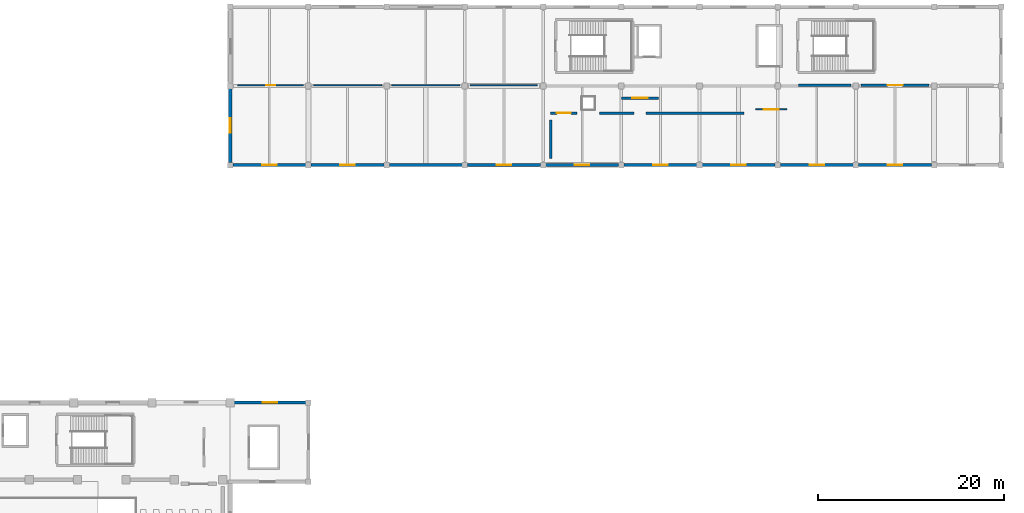
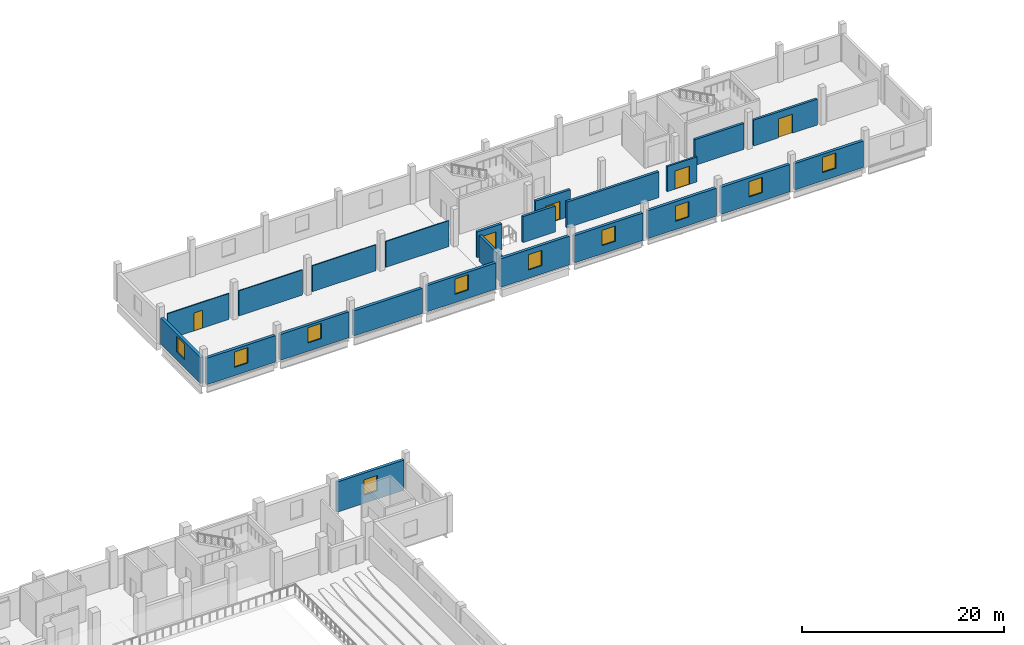
# One storey, part 40 of 50: 23 walls, 10 windows, 5 doors, 15 openings.
"""IFC4 building model written with IfcOpenShell, lengths in metres."""

from ifc_helpers import new_model, si_unit, direction, frame, frame_2d, origin, place, context, subcontext, project, spatial, rectangle, extrude, material, layer, layer_set, type_object, element, fill, save


model = new_model("IFC4")

# Units and contexts
model_context = context("Model", 3, precision=1e-05, world=origin(), true_north=direction((0.0, 1.0)))
body_context = subcontext(model_context, "Body", "Model", "MODEL_VIEW")
ifc_project = project(units=[si_unit("LENGTHUNIT", "METRE"), si_unit("AREAUNIT", "SQUARE_METRE"), si_unit("VOLUMEUNIT", "CUBIC_METRE"), si_unit("PLANEANGLEUNIT", "RADIAN"), si_unit("MASSUNIT", "GRAM", prefix="KILO")], contexts=[model_context])

# Site, building, storey
site_placement = place(None, origin())
site = spatial("IfcSite", under=ifc_project, at=site_placement, CompositionType="ELEMENT")
building_placement = place(site_placement, origin())
building = spatial("IfcBuilding", under=site, at=building_placement, Name="Solvento Point Concert Hall", CompositionType="ELEMENT")
storey_placement = place(building_placement, frame((0.0, 0.0, 15.0)))
storey = spatial("IfcBuildingStorey", under=building, at=storey_placement, Name="L03", CompositionType="ELEMENT", Elevation=15.0)

# Wall, opening, door
ifc_material_1 = material(Name="Acoustic Double-Stud Gypsum Partition")
ifc_layer_1 = layer(ifc_material_1, 0.1201171875)
ifc_layer_set_1 = layer_set([ifc_layer_1], Name="Acoustic Double-Stud Gypsum Partition")
wall_type_1 = type_object("IfcWallType", Name="AcousticPartition_120", PredefinedType="PARTITIONING", material=ifc_layer_set_1)
wall_1_placement = place(storey_placement, frame((134.02001953125, 127.580078125, 0.0), z_axis=(0.0, 0.0, 1.0), x_axis=(1.0, 0.0, 0.0)))
wall_1 = element("IfcWall", 1, at=wall_1_placement, inside=storey, type_object=wall_type_1, Name="Interior acoustic partition PW-52 L03", PredefinedType="PARTITIONING", context=body_context, shape_type="SweptSolid", body=[
    extrude(rectangle(XDim=7.030029296875, YDim=0.1201171875, at=frame_2d((3.51513671875, 0.0))), origin(), (0.0, 0.0, 1.0), 3.1298828125),
])
opening_1_placement = place(wall_1_placement, frame((3.02490234375, 0.0, 0.0)))
opening_1 = element("IfcOpeningElement", 2, at=opening_1_placement, cuts=wall_1, Name="Opening DR-89", PredefinedType="OPENING", context=body_context, shape_type="SweptSolid", body=[
    extrude(rectangle(XDim=0.97998046875, YDim=2.159912109375, at=frame_2d((0.489990234375, 1.080078125))), frame((0.0, 0.070068359375, 0.0), z_axis=(0.0, -1.0, 0.0), x_axis=(1.0, 0.0, 0.0)), (0.0, 0.0, 1.0), 0.14013671875),
])
ifc_material_2 = material(Name="Brazilian Hardwood Acoustic Door", Category="wood")
door_type_1 = type_object("IfcDoorType", Name="IntDoor_AdminOffice", OperationType="NOTDEFINED", PredefinedType="DOOR", material=ifc_material_2)
door_1_placement = place(opening_1_placement, origin())
door_1 = element("IfcDoor", 3, at=door_1_placement, inside=storey, type_object=door_type_1, Name="Interior door DR-89 L03", OperationType="SINGLE_SWING_LEFT", OverallHeight=2.159912109375, OverallWidth=0.97998046875, PredefinedType="DOOR", context=body_context, shape_type="SweptSolid", body=[
    extrude(rectangle(XDim=0.97998046875, YDim=2.159912109375, at=frame_2d((0.489990234375, 1.080078125))), frame((0.0, 0.02490234375, 0.0), z_axis=(0.0, -1.0, 0.0), x_axis=(1.0, 0.0, 0.0)), (0.0, 0.0, 1.0), 0.050048828125),
])
fill(opening_1, door_1)

# Walls
wall_2_placement = place(storey_placement, frame((142.14990234375, 127.580078125, 0.0), z_axis=(0.0, 0.0, 1.0), x_axis=(1.0, 0.0, 0.0)))
element("IfcWall", 4, at=wall_2_placement, inside=storey, type_object=wall_type_1, Name="Interior acoustic partition PW-52 L03", PredefinedType="PARTITIONING", context=body_context, shape_type="SweptSolid", body=[
    extrude(rectangle(XDim=7.300048828125, YDim=0.1201171875, at=frame_2d((3.64990234375, 0.0))), origin(), (0.0, 0.0, 1.0), 3.0380859375),
])
wall_3_placement = place(storey_placement, frame((150.550048828125, 127.580078125, 0.0), z_axis=(0.0, 0.0, 1.0), x_axis=(1.0, 0.0, 0.0)))
element("IfcWall", 5, at=wall_3_placement, inside=storey, type_object=wall_type_1, Name="Interior acoustic partition PW-52 L03", PredefinedType="PARTITIONING", context=body_context, shape_type="SweptSolid", body=[
    extrude(rectangle(XDim=7.300048828125, YDim=0.1201171875, at=frame_2d((3.64990234375, 0.0))), origin(), (0.0, 0.0, 1.0), 3.1298828125),
])
wall_4_placement = place(storey_placement, frame((158.949951171875, 127.580078125, 0.0), z_axis=(0.0, 0.0, 1.0), x_axis=(1.0, 0.0, 0.0)))
element("IfcWall", 6, at=wall_4_placement, inside=storey, type_object=wall_type_1, Name="Interior acoustic partition PW-52 L03", PredefinedType="PARTITIONING", context=body_context, shape_type="SweptSolid", body=[
    extrude(rectangle(XDim=7.22998046875, YDim=0.1201171875, at=frame_2d((3.614990234375, 0.0))), origin(), (0.0, 0.0, 1.0), 3.1298828125),
])

# Wall, opening, door
ifc_material_3 = material(Name="Acoustic Double-Stud Gypsum Partition")
ifc_layer_2 = layer(ifc_material_3, 0.2080078125)
ifc_layer_set_2 = layer_set([ifc_layer_2], Name="Acoustic Double-Stud Gypsum Partition")
wall_type_2 = type_object("IfcWallType", Name="AcousticPartition_208", PredefinedType="PARTITIONING", material=ifc_layer_set_2)
wall_5_placement = place(storey_placement, frame((189.60009765625, 125.0, 0.0), z_axis=(0.0, 0.0, 1.0), x_axis=(1.0, 0.0, 0.0)))
wall_5 = element("IfcWall", 7, at=wall_5_placement, inside=storey, type_object=wall_type_2, Name="Lift lobby partition LG-02 L03", PredefinedType="PARTITIONING", context=body_context, shape_type="SweptSolid", body=[
    extrude(rectangle(XDim=3.39990234375, YDim=0.2080078125, at=frame_2d((1.699951171875, 0.0))), origin(), (0.0, 0.0, 1.0), 3.0380859375),
])
opening_2_placement = place(wall_5_placement, frame((0.875, 0.0, 0.0)))
opening_2 = element("IfcOpeningElement", 8, at=opening_2_placement, cuts=wall_5, Name="Opening D-FL1", PredefinedType="OPENING", context=body_context, shape_type="SweptSolid", body=[
    extrude(rectangle(XDim=1.64990234375, YDim=2.199951171875, at=frame_2d((0.824951171875, 1.10009765625))), frame((0.0, 0.114013671875, 0.0), z_axis=(0.0, -1.0, 0.0), x_axis=(1.0, 0.0, 0.0)), (0.0, 0.0, 1.0), 0.22802734375),
])
ifc_material_4 = material(Name="Hollow Metal Acoustic Fire Door")
door_type_2 = type_object("IfcDoorType", Name="FireLobbyDoor_1600", OperationType="DOUBLE_DOOR_SINGLE_SWING", PredefinedType="DOOR", material=ifc_material_4)
door_2_placement = place(opening_2_placement, origin())
door_2 = element("IfcDoor", 9, at=door_2_placement, inside=storey, type_object=door_type_2, Name="Lift lobby door LG-02 L03", OperationType="DOUBLE_DOOR_SINGLE_SWING", OverallHeight=2.199951171875, OverallWidth=1.64990234375, PredefinedType="DOOR", context=body_context, shape_type="SweptSolid", body=[
    extrude(rectangle(XDim=1.64990234375, YDim=2.199951171875, at=frame_2d((0.824951171875, 1.10009765625))), frame((0.0, 0.02490234375, 0.0), z_axis=(0.0, -1.0, 0.0), x_axis=(1.0, 0.0, 0.0)), (0.0, 0.0, 1.0), 0.050048828125),
])
fill(opening_2, door_2)

# Wall
ifc_material_5 = material(Name="Acoustic Double-Stud Gypsum Partition")
ifc_layer_3 = layer(ifc_material_5, 0.264892578125)
ifc_layer_set_3 = layer_set([ifc_layer_3], Name="Acoustic Double-Stud Gypsum Partition")
wall_type_3 = type_object("IfcWallType", Name="AcousticPartition_265", PredefinedType="PARTITIONING", material=ifc_layer_set_3)
wall_6_placement = place(storey_placement, frame((194.219970703125, 127.580078125, 0.0), z_axis=(0.0, 0.0, 1.0), x_axis=(1.0, 0.0, 0.0)))
element("IfcWall", 10, at=wall_6_placement, inside=storey, type_object=wall_type_3, Name="Interior acoustic partition PW-68 L03", PredefinedType="PARTITIONING", context=body_context, shape_type="SweptSolid", body=[
    extrude(rectangle(XDim=5.630126953125, YDim=0.264892578125, at=frame_2d((2.81494140625, 0.0))), origin(), (0.0, 0.0, 1.0), 3.1298828125),
])

# Wall, opening, door
wall_7_placement = place(storey_placement, frame((200.949951171875, 127.580078125, 0.0), z_axis=(0.0, 0.0, 1.0), x_axis=(1.0, 0.0, 0.0)))
wall_7 = element("IfcWall", 11, at=wall_7_placement, inside=storey, type_object=wall_type_3, Name="Interior acoustic partition PW-68 L03", PredefinedType="PARTITIONING", context=body_context, shape_type="SweptSolid", body=[
    extrude(rectangle(XDim=7.300048828125, YDim=0.264892578125, at=frame_2d((3.64990234375, 0.0))), origin(), (0.0, 0.0, 1.0), 3.1298828125),
])
opening_3_placement = place(wall_7_placement, frame((2.85009765625, 0.0, 0.0)))
opening_3 = element("IfcOpeningElement", 12, at=opening_3_placement, cuts=wall_7, Name="Opening DR-40", PredefinedType="OPENING", context=body_context, shape_type="SweptSolid", body=[
    extrude(rectangle(XDim=1.60009765625, YDim=2.300048828125, at=frame_2d((0.800048828125, 1.14990234375))), frame((0.0, 0.142333984375, 0.0), z_axis=(0.0, -1.0, 0.0), x_axis=(1.0, 0.0, 0.0)), (0.0, 0.0, 1.0), 0.284912109375),
])
ifc_material_6 = material(Name="Brazilian Hardwood Acoustic Door", Category="wood")
door_type_3 = type_object("IfcDoorType", Name="IntDoor_ArchiveFD90", OperationType="NOTDEFINED", PredefinedType="DOOR", material=ifc_material_6)
door_3_placement = place(opening_3_placement, origin())
door_3 = element("IfcDoor", 13, at=door_3_placement, inside=storey, type_object=door_type_3, Name="Interior door DR-40 L03", OperationType="SINGLE_SWING_LEFT", OverallHeight=2.300048828125, OverallWidth=1.60009765625, PredefinedType="DOOR", context=body_context, shape_type="SweptSolid", body=[
    extrude(rectangle(XDim=1.60009765625, YDim=2.300048828125, at=frame_2d((0.800048828125, 1.14990234375))), frame((0.0, 0.02490234375, 0.0), z_axis=(0.0, -1.0, 0.0), x_axis=(1.0, 0.0, 0.0)), (0.0, 0.0, 1.0), 0.050048828125),
])
fill(opening_3, door_3)

ifc_material_7 = material(Name="Acoustic Double-Stud Gypsum Partition")
ifc_layer_4 = layer(ifc_material_7, 0.284912109375)
ifc_layer_set_4 = layer_set([ifc_layer_4], Name="Acoustic Double-Stud Gypsum Partition")
wall_type_4 = type_object("IfcWallType", Name="AcousticPartition_285", PredefinedType="PARTITIONING", material=ifc_layer_set_4)
wall_8_placement = place(storey_placement, frame((167.6201171875, 124.580078125, 0.0), z_axis=(0.0, 0.0, 1.0), x_axis=(1.0, 0.0, 0.0)))
wall_8 = element("IfcWall", 14, at=wall_8_placement, inside=storey, type_object=wall_type_4, Name="Interior acoustic partition PW-88 L03", PredefinedType="PARTITIONING", context=body_context, shape_type="SweptSolid", body=[
    extrude(rectangle(XDim=2.82080078125, YDim=0.284912109375, at=frame_2d((1.410400390625, 0.0))), origin(), (0.0, 0.0, 1.0), 3.1298828125),
])
opening_4_placement = place(wall_8_placement, frame((0.650390625, 0.0, 0.0)))
opening_4 = element("IfcOpeningElement", 15, at=opening_4_placement, cuts=wall_8, Name="Opening DR-87", PredefinedType="OPENING", context=body_context, shape_type="SweptSolid", body=[
    extrude(rectangle(XDim=1.52001953125, YDim=2.3798828125, at=frame_2d((0.760009765625, 1.18994140625))), frame((0.0, 0.15234375, 0.0), z_axis=(0.0, -1.0, 0.0), x_axis=(1.0, 0.0, 0.0)), (0.0, 0.0, 1.0), 0.304931640625),
])
ifc_material_8 = material(Name="Brazilian Hardwood Acoustic Door", Category="wood")
door_type_4 = type_object("IfcDoorType", Name="IntDoor_RecordingSTC58", OperationType="NOTDEFINED", PredefinedType="DOOR", material=ifc_material_8)
door_4_placement = place(opening_4_placement, origin())
door_4 = element("IfcDoor", 16, at=door_4_placement, inside=storey, type_object=door_type_4, Name="Interior door DR-87 L03", OperationType="SINGLE_SWING_RIGHT", OverallHeight=2.3798828125, OverallWidth=1.52001953125, PredefinedType="DOOR", context=body_context, shape_type="SweptSolid", body=[
    extrude(rectangle(XDim=1.52001953125, YDim=2.3798828125, at=frame_2d((0.760009765625, 1.18994140625))), frame((0.0, 0.02490234375, 0.0), z_axis=(0.0, -1.0, 0.0), x_axis=(1.0, 0.0, 0.0)), (0.0, 0.0, 1.0), 0.050048828125),
])
fill(opening_4, door_4)

# Walls
wall_9_placement = place(storey_placement, frame((172.85888671875, 124.580078125, 0.0), z_axis=(0.0, 0.0, 1.0), x_axis=(1.0, 0.0, 0.0)))
element("IfcWall", 17, at=wall_9_placement, inside=storey, type_object=wall_type_4, Name="Interior acoustic partition PW-88 L03", PredefinedType="PARTITIONING", context=body_context, shape_type="SweptSolid", body=[
    extrude(rectangle(XDim=3.680419921875, YDim=0.284912109375, at=frame_2d((1.84033203125, 0.0))), origin(), (0.0, 0.0, 1.0), 3.1298828125),
])
wall_10_placement = place(storey_placement, frame((177.860595703125, 124.580078125, 0.0), z_axis=(0.0, 0.0, 1.0), x_axis=(1.0, 0.0, 0.0)))
element("IfcWall", 18, at=wall_10_placement, inside=storey, type_object=wall_type_4, Name="Interior acoustic partition PW-88 L03", PredefinedType="PARTITIONING", context=body_context, shape_type="SweptSolid", body=[
    extrude(rectangle(XDim=10.519287109375, YDim=0.284912109375, at=frame_2d((5.259765625, 0.0))), origin(), (0.0, 0.0, 1.0), 3.1298828125),
])
wall_11_placement = place(storey_placement, frame((167.6201171875, 119.699951171875, 0.0), z_axis=(0.0, 0.0, 1.0), x_axis=(0.0, 1.0, 0.0)))
element("IfcWall", 19, at=wall_11_placement, inside=storey, type_object=wall_type_4, Name="Interior acoustic partition PW-88 L03", PredefinedType="PARTITIONING", context=body_context, shape_type="SweptSolid", body=[
    extrude(rectangle(XDim=4.124755859375, YDim=0.284912109375, at=frame_2d((2.0625, 0.0))), origin(), (0.0, 0.0, 1.0), 3.1298828125),
])

# Wall, opening, door
ifc_material_9 = material(Name="Concrete C40/50", Category="concrete")
ifc_layer_5 = layer(ifc_material_9, 0.35009765625)
ifc_layer_set_5 = layer_set([ifc_layer_5], Name="Concrete C40/50")
wall_type_5 = type_object("IfcWallType", Name="CoreShearWall_350", PredefinedType="SHEAR", material=ifc_layer_set_5)
wall_12_placement = place(storey_placement, frame((175.199951171875, 126.199951171875, 0.0), z_axis=(0.0, 0.0, 1.0), x_axis=(1.0, 0.0, 0.0)))
wall_12 = element("IfcWall", 20, at=wall_12_placement, inside=storey, type_object=wall_type_5, Name="Firefighting lift lobby wall LF-01 L03", PredefinedType="SHEAR", context=body_context, shape_type="SweptSolid", body=[
    extrude(rectangle(XDim=4.0, YDim=0.280029296875, at=frame_2d((2.0, 0.0))), origin(), (0.0, 0.0, 1.0), 3.205078125),
])
opening_5_placement = place(wall_12_placement, frame((1.175048828125, 0.0, 0.0)))
opening_5 = element("IfcOpeningElement", 21, at=opening_5_placement, cuts=wall_12, Name="Opening D-FL1", PredefinedType="OPENING", context=body_context, shape_type="SweptSolid", body=[
    extrude(rectangle(XDim=1.64990234375, YDim=2.199951171875, at=frame_2d((0.824951171875, 1.10009765625))), frame((0.0, 0.14990234375, 0.0), z_axis=(0.0, -1.0, 0.0), x_axis=(1.0, 0.0, 0.0)), (0.0, 0.0, 1.0), 0.300048828125),
])
door_5_placement = place(opening_5_placement, origin())
door_5 = element("IfcDoor", 22, at=door_5_placement, inside=storey, type_object=door_type_2, Name="Firefighting lobby door LF-01 L03", OperationType="DOUBLE_DOOR_SINGLE_SWING", OverallHeight=2.199951171875, OverallWidth=1.64990234375, PredefinedType="DOOR", context=body_context, shape_type="SweptSolid", body=[
    extrude(rectangle(XDim=1.64990234375, YDim=2.199951171875, at=frame_2d((0.824951171875, 1.10009765625))), frame((0.0, 0.02490234375, 0.0), z_axis=(0.0, -1.0, 0.0), x_axis=(1.0, 0.0, 0.0)), (0.0, 0.0, 1.0), 0.050048828125),
])
fill(opening_5, door_5)

# Wall, opening, window
ifc_material_10 = material(Name="Concrete C35/45", Category="concrete")
ifc_layer_6 = layer(ifc_material_10, 0.330078125)
ifc_layer_set_6 = layer_set([ifc_layer_6], Name="Concrete C35/45")
wall_type_6 = type_object("IfcWallType", Name="ExtWall_V5_Plinth_330", PredefinedType="SOLIDWALL", material=ifc_layer_set_6)
wall_13_placement = place(storey_placement, frame((133.199951171875, 119.280029296875, 0.0), z_axis=(0.0, 0.0, 1.0), x_axis=(0.0, 1.0, 0.0)))
wall_13 = element("IfcWall", 23, at=wall_13_placement, inside=storey, type_object=wall_type_6, Name="Exterior architectural concrete wall EW-72 L03", PredefinedType="SOLIDWALL", context=body_context, shape_type="SweptSolid", body=[
    extrude(rectangle(XDim=7.93994140625, YDim=0.330078125, at=frame_2d((3.969970703125, 0.0))), origin(), (0.0, 0.0, 1.0), 3.1640625),
])
opening_6_placement = place(wall_13_placement, frame((3.195068359375, 0.0, 1.0)))
opening_6 = element("IfcOpeningElement", 24, at=opening_6_placement, cuts=wall_13, Name="Opening WN-94", PredefinedType="OPENING", context=body_context, shape_type="SweptSolid", body=[
    extrude(rectangle(XDim=1.550048828125, YDim=1.85009765625, at=frame_2d((0.77490234375, 0.925048828125))), frame((0.0, 0.175048828125, 0.0), z_axis=(0.0, -1.0, 0.0), x_axis=(1.0, 0.0, 0.0)), (0.0, 0.0, 1.0), 0.35009765625),
])
ifc_material_11 = material(Name="Hurricane Laminated Low-E Glass", Category="glass")
window_type = type_object("IfcWindowType", Name="Win_V5_PostProd_L03", PartitioningType="SINGLE_PANEL", PredefinedType="WINDOW", material=ifc_material_11)
window_1_placement = place(opening_6_placement, origin())
window_1 = element("IfcWindow", 25, at=window_1_placement, inside=storey, type_object=window_type, Name="Impact acoustic window WN-94", OverallHeight=1.85009765625, OverallWidth=1.550048828125, PartitioningType="SINGLE_PANEL", PredefinedType="WINDOW", context=body_context, shape_type="SweptSolid", body=[
    extrude(rectangle(XDim=1.550048828125, YDim=1.85009765625, at=frame_2d((0.77490234375, 0.925048828125))), frame((0.0, 0.030029296875, 0.0), z_axis=(0.0, -1.0, 0.0), x_axis=(1.0, 0.0, 0.0)), (0.0, 0.0, 1.0), 0.06005859375),
])
fill(opening_6, window_1)

wall_14_placement = place(storey_placement, frame((174.919921875, 119.0, 0.0), z_axis=(0.0, 0.0, 1.0), x_axis=(-1.0, 0.0, 0.0)))
wall_14 = element("IfcWall", 26, at=wall_14_placement, inside=storey, type_object=wall_type_6, Name="Exterior architectural concrete wall EW-72 L03", PredefinedType="SOLIDWALL", context=body_context, shape_type="SweptSolid", body=[
    extrude(rectangle(XDim=7.83984375, YDim=0.330078125, at=frame_2d((3.919921875, 0.0))), origin(), (0.0, 0.0, 1.0), 3.4560546875),
])
opening_7_placement = place(wall_14_placement, frame((3.14501953125, 0.0, 1.0)))
opening_7 = element("IfcOpeningElement", 27, at=opening_7_placement, cuts=wall_14, Name="Opening WN-94", PredefinedType="OPENING", context=body_context, shape_type="SweptSolid", body=[
    extrude(rectangle(XDim=1.550048828125, YDim=1.85009765625, at=frame_2d((0.77490234375, 0.925048828125))), frame((0.0, 0.175048828125, 0.0), z_axis=(0.0, -1.0, 0.0), x_axis=(1.0, 0.0, 0.0)), (0.0, 0.0, 1.0), 0.35009765625),
])
window_2_placement = place(opening_7_placement, origin())
window_2 = element("IfcWindow", 28, at=window_2_placement, inside=storey, type_object=window_type, Name="Impact acoustic window WN-94", OverallHeight=1.85009765625, OverallWidth=1.550048828125, PartitioningType="SINGLE_PANEL", PredefinedType="WINDOW", context=body_context, shape_type="SweptSolid", body=[
    extrude(rectangle(XDim=1.550048828125, YDim=1.85009765625, at=frame_2d((0.77490234375, 0.925048828125))), frame((0.0, 0.030029296875, 0.0), z_axis=(0.0, -1.0, 0.0), x_axis=(1.0, 0.0, 0.0)), (0.0, 0.0, 1.0), 0.06005859375),
])
fill(opening_7, window_2)

wall_15_placement = place(storey_placement, frame((183.320068359375, 119.0, 0.0), z_axis=(0.0, 0.0, 1.0), x_axis=(-1.0, 0.0, 0.0)))
wall_15 = element("IfcWall", 29, at=wall_15_placement, inside=storey, type_object=wall_type_6, Name="Exterior architectural concrete wall EW-72 L03", PredefinedType="SOLIDWALL", context=body_context, shape_type="SweptSolid", body=[
    extrude(rectangle(XDim=7.840087890625, YDim=0.330078125, at=frame_2d((3.919921875, 0.0))), origin(), (0.0, 0.0, 1.0), 3.31396484375),
])
opening_8_placement = place(wall_15_placement, frame((3.14501953125, 0.0, 1.0)))
opening_8 = element("IfcOpeningElement", 30, at=opening_8_placement, cuts=wall_15, Name="Opening WN-94", PredefinedType="OPENING", context=body_context, shape_type="SweptSolid", body=[
    extrude(rectangle(XDim=1.550048828125, YDim=1.85009765625, at=frame_2d((0.77490234375, 0.925048828125))), frame((0.0, 0.175048828125, 0.0), z_axis=(0.0, -1.0, 0.0), x_axis=(1.0, 0.0, 0.0)), (0.0, 0.0, 1.0), 0.35009765625),
])
window_3_placement = place(opening_8_placement, origin())
window_3 = element("IfcWindow", 31, at=window_3_placement, inside=storey, type_object=window_type, Name="Impact acoustic window WN-94", OverallHeight=1.85009765625, OverallWidth=1.550048828125, PartitioningType="SINGLE_PANEL", PredefinedType="WINDOW", context=body_context, shape_type="SweptSolid", body=[
    extrude(rectangle(XDim=1.550048828125, YDim=1.85009765625, at=frame_2d((0.77490234375, 0.925048828125))), frame((0.0, 0.030029296875, 0.0), z_axis=(0.0, -1.0, 0.0), x_axis=(1.0, 0.0, 0.0)), (0.0, 0.0, 1.0), 0.06005859375),
])
fill(opening_8, window_3)

wall_16_placement = place(storey_placement, frame((191.719970703125, 119.0, 0.0), z_axis=(0.0, 0.0, 1.0), x_axis=(-1.0, 0.0, 0.0)))
wall_16 = element("IfcWall", 32, at=wall_16_placement, inside=storey, type_object=wall_type_6, Name="Exterior architectural concrete wall EW-72 L03", PredefinedType="SOLIDWALL", context=body_context, shape_type="SweptSolid", body=[
    extrude(rectangle(XDim=7.840087890625, YDim=0.330078125, at=frame_2d((3.919921875, 0.0))), origin(), (0.0, 0.0, 1.0), 3.37109375),
])
opening_9_placement = place(wall_16_placement, frame((3.14501953125, 0.0, 1.0)))
opening_9 = element("IfcOpeningElement", 33, at=opening_9_placement, cuts=wall_16, Name="Opening WN-94", PredefinedType="OPENING", context=body_context, shape_type="SweptSolid", body=[
    extrude(rectangle(XDim=1.550048828125, YDim=1.85009765625, at=frame_2d((0.77490234375, 0.925048828125))), frame((0.0, 0.175048828125, 0.0), z_axis=(0.0, -1.0, 0.0), x_axis=(1.0, 0.0, 0.0)), (0.0, 0.0, 1.0), 0.35009765625),
])
window_4_placement = place(opening_9_placement, origin())
window_4 = element("IfcWindow", 34, at=window_4_placement, inside=storey, type_object=window_type, Name="Impact acoustic window WN-94", OverallHeight=1.85009765625, OverallWidth=1.550048828125, PartitioningType="SINGLE_PANEL", PredefinedType="WINDOW", context=body_context, shape_type="SweptSolid", body=[
    extrude(rectangle(XDim=1.550048828125, YDim=1.85009765625, at=frame_2d((0.77490234375, 0.925048828125))), frame((0.0, 0.030029296875, 0.0), z_axis=(0.0, -1.0, 0.0), x_axis=(1.0, 0.0, 0.0)), (0.0, 0.0, 1.0), 0.06005859375),
])
fill(opening_9, window_4)

wall_17_placement = place(storey_placement, frame((200.1201171875, 119.0, 0.0), z_axis=(0.0, 0.0, 1.0), x_axis=(-1.0, 0.0, 0.0)))
wall_17 = element("IfcWall", 35, at=wall_17_placement, inside=storey, type_object=wall_type_6, Name="Exterior architectural concrete wall EW-72 L03", PredefinedType="SOLIDWALL", context=body_context, shape_type="SweptSolid", body=[
    extrude(rectangle(XDim=7.840087890625, YDim=0.330078125, at=frame_2d((3.919921875, 0.0))), origin(), (0.0, 0.0, 1.0), 3.2939453125),
])
opening_10_placement = place(wall_17_placement, frame((3.14501953125, 0.0, 1.0)))
opening_10 = element("IfcOpeningElement", 36, at=opening_10_placement, cuts=wall_17, Name="Opening WN-94", PredefinedType="OPENING", context=body_context, shape_type="SweptSolid", body=[
    extrude(rectangle(XDim=1.550048828125, YDim=1.85009765625, at=frame_2d((0.77490234375, 0.925048828125))), frame((0.0, 0.175048828125, 0.0), z_axis=(0.0, -1.0, 0.0), x_axis=(1.0, 0.0, 0.0)), (0.0, 0.0, 1.0), 0.35009765625),
])
window_5_placement = place(opening_10_placement, origin())
window_5 = element("IfcWindow", 37, at=window_5_placement, inside=storey, type_object=window_type, Name="Impact acoustic window WN-94", OverallHeight=1.85009765625, OverallWidth=1.550048828125, PartitioningType="SINGLE_PANEL", PredefinedType="WINDOW", context=body_context, shape_type="SweptSolid", body=[
    extrude(rectangle(XDim=1.550048828125, YDim=1.85009765625, at=frame_2d((0.77490234375, 0.925048828125))), frame((0.0, 0.030029296875, 0.0), z_axis=(0.0, -1.0, 0.0), x_axis=(1.0, 0.0, 0.0)), (0.0, 0.0, 1.0), 0.06005859375),
])
fill(opening_10, window_5)

wall_18_placement = place(storey_placement, frame((208.52001953125, 119.0, 0.0), z_axis=(0.0, 0.0, 1.0), x_axis=(-1.0, 0.0, 0.0)))
wall_18 = element("IfcWall", 38, at=wall_18_placement, inside=storey, type_object=wall_type_6, Name="Exterior architectural concrete wall EW-72 L03", PredefinedType="SOLIDWALL", context=body_context, shape_type="SweptSolid", body=[
    extrude(rectangle(XDim=7.840087890625, YDim=0.330078125, at=frame_2d((3.919921875, 0.0))), origin(), (0.0, 0.0, 1.0), 3.205078125),
])
opening_11_placement = place(wall_18_placement, frame((3.14501953125, 0.0, 1.0)))
opening_11 = element("IfcOpeningElement", 39, at=opening_11_placement, cuts=wall_18, Name="Opening WN-94", PredefinedType="OPENING", context=body_context, shape_type="SweptSolid", body=[
    extrude(rectangle(XDim=1.550048828125, YDim=1.85009765625, at=frame_2d((0.77490234375, 0.925048828125))), frame((0.0, 0.175048828125, 0.0), z_axis=(0.0, -1.0, 0.0), x_axis=(1.0, 0.0, 0.0)), (0.0, 0.0, 1.0), 0.35009765625),
])
window_6_placement = place(opening_11_placement, origin())
window_6 = element("IfcWindow", 40, at=window_6_placement, inside=storey, type_object=window_type, Name="Impact acoustic window WN-94", OverallHeight=1.85009765625, OverallWidth=1.550048828125, PartitioningType="SINGLE_PANEL", PredefinedType="WINDOW", context=body_context, shape_type="SweptSolid", body=[
    extrude(rectangle(XDim=1.550048828125, YDim=1.85009765625, at=frame_2d((0.77490234375, 0.925048828125))), frame((0.0, 0.030029296875, 0.0), z_axis=(0.0, -1.0, 0.0), x_axis=(1.0, 0.0, 0.0)), (0.0, 0.0, 1.0), 0.06005859375),
])
fill(opening_11, window_6)

wall_19_placement = place(storey_placement, frame((141.320068359375, 119.0, 0.0), z_axis=(0.0, 0.0, 1.0), x_axis=(-1.0, 0.0, 0.0)))
wall_19 = element("IfcWall", 41, at=wall_19_placement, inside=storey, type_object=wall_type_6, Name="Exterior architectural concrete wall EW-72 L03", PredefinedType="SOLIDWALL", context=body_context, shape_type="SweptSolid", body=[
    extrude(rectangle(XDim=7.840087890625, YDim=0.330078125, at=frame_2d((3.919921875, 0.0))), origin(), (0.0, 0.0, 1.0), 3.205078125),
])
opening_12_placement = place(wall_19_placement, frame((3.14501953125, 0.0, 1.0)))
opening_12 = element("IfcOpeningElement", 42, at=opening_12_placement, cuts=wall_19, Name="Opening WN-94", PredefinedType="OPENING", context=body_context, shape_type="SweptSolid", body=[
    extrude(rectangle(XDim=1.550048828125, YDim=1.85009765625, at=frame_2d((0.77490234375, 0.925048828125))), frame((0.0, 0.175048828125, 0.0), z_axis=(0.0, -1.0, 0.0), x_axis=(1.0, 0.0, 0.0)), (0.0, 0.0, 1.0), 0.35009765625),
])
window_7_placement = place(opening_12_placement, origin())
window_7 = element("IfcWindow", 43, at=window_7_placement, inside=storey, type_object=window_type, Name="Impact acoustic window WN-94", OverallHeight=1.85009765625, OverallWidth=1.550048828125, PartitioningType="SINGLE_PANEL", PredefinedType="WINDOW", context=body_context, shape_type="SweptSolid", body=[
    extrude(rectangle(XDim=1.550048828125, YDim=1.85009765625, at=frame_2d((0.77490234375, 0.925048828125))), frame((0.0, 0.030029296875, 0.0), z_axis=(0.0, -1.0, 0.0), x_axis=(1.0, 0.0, 0.0)), (0.0, 0.0, 1.0), 0.06005859375),
])
fill(opening_12, window_7)

wall_20_placement = place(storey_placement, frame((149.719970703125, 119.0, 0.0), z_axis=(0.0, 0.0, 1.0), x_axis=(-1.0, 0.0, 0.0)))
wall_20 = element("IfcWall", 44, at=wall_20_placement, inside=storey, type_object=wall_type_6, Name="Exterior architectural concrete wall EW-72 L03", PredefinedType="SOLIDWALL", context=body_context, shape_type="SweptSolid", body=[
    extrude(rectangle(XDim=7.840087890625, YDim=0.330078125, at=frame_2d((3.919921875, 0.0))), origin(), (0.0, 0.0, 1.0), 3.136962890625),
])
opening_13_placement = place(wall_20_placement, frame((3.14501953125, 0.0, 1.0)))
opening_13 = element("IfcOpeningElement", 45, at=opening_13_placement, cuts=wall_20, Name="Opening WN-94", PredefinedType="OPENING", context=body_context, shape_type="SweptSolid", body=[
    extrude(rectangle(XDim=1.550048828125, YDim=1.85009765625, at=frame_2d((0.77490234375, 0.925048828125))), frame((0.0, 0.175048828125, 0.0), z_axis=(0.0, -1.0, 0.0), x_axis=(1.0, 0.0, 0.0)), (0.0, 0.0, 1.0), 0.35009765625),
])
window_8_placement = place(opening_13_placement, origin())
window_8 = element("IfcWindow", 46, at=window_8_placement, inside=storey, type_object=window_type, Name="Impact acoustic window WN-94", OverallHeight=1.85009765625, OverallWidth=1.550048828125, PartitioningType="SINGLE_PANEL", PredefinedType="WINDOW", context=body_context, shape_type="SweptSolid", body=[
    extrude(rectangle(XDim=1.550048828125, YDim=1.85009765625, at=frame_2d((0.77490234375, 0.925048828125))), frame((0.0, 0.030029296875, 0.0), z_axis=(0.0, -1.0, 0.0), x_axis=(1.0, 0.0, 0.0)), (0.0, 0.0, 1.0), 0.06005859375),
])
fill(opening_13, window_8)

# Wall
wall_21_placement = place(storey_placement, frame((158.1201171875, 119.0, 0.0), z_axis=(0.0, 0.0, 1.0), x_axis=(-1.0, 0.0, 0.0)))
element("IfcWall", 47, at=wall_21_placement, inside=storey, type_object=wall_type_6, Name="Exterior architectural concrete wall EW-72 L03", PredefinedType="SOLIDWALL", context=body_context, shape_type="SweptSolid", body=[
    extrude(rectangle(XDim=7.840087890625, YDim=0.330078125, at=frame_2d((3.919921875, 0.0))), origin(), (0.0, 0.0, 1.0), 3.0380859375),
])

# Wall, opening, window
wall_22_placement = place(storey_placement, frame((166.52001953125, 119.0, 0.0), z_axis=(0.0, 0.0, 1.0), x_axis=(-1.0, 0.0, 0.0)))
wall_22 = element("IfcWall", 48, at=wall_22_placement, inside=storey, type_object=wall_type_6, Name="Exterior architectural concrete wall EW-72 L03", PredefinedType="SOLIDWALL", context=body_context, shape_type="SweptSolid", body=[
    extrude(rectangle(XDim=7.840087890625, YDim=0.330078125, at=frame_2d((3.919921875, 0.0))), origin(), (0.0, 0.0, 1.0), 3.1640625),
])
opening_14_placement = place(wall_22_placement, frame((3.14501953125, 0.0, 1.0)))
opening_14 = element("IfcOpeningElement", 49, at=opening_14_placement, cuts=wall_22, Name="Opening WN-94", PredefinedType="OPENING", context=body_context, shape_type="SweptSolid", body=[
    extrude(rectangle(XDim=1.550048828125, YDim=1.85009765625, at=frame_2d((0.77490234375, 0.925048828125))), frame((0.0, 0.175048828125, 0.0), z_axis=(0.0, -1.0, 0.0), x_axis=(1.0, 0.0, 0.0)), (0.0, 0.0, 1.0), 0.35009765625),
])
window_9_placement = place(opening_14_placement, origin())
window_9 = element("IfcWindow", 50, at=window_9_placement, inside=storey, type_object=window_type, Name="Impact acoustic window WN-94", OverallHeight=1.85009765625, OverallWidth=1.550048828125, PartitioningType="SINGLE_PANEL", PredefinedType="WINDOW", context=body_context, shape_type="SweptSolid", body=[
    extrude(rectangle(XDim=1.550048828125, YDim=1.85009765625, at=frame_2d((0.77490234375, 0.925048828125))), frame((0.0, 0.030029296875, 0.0), z_axis=(0.0, -1.0, 0.0), x_axis=(1.0, 0.0, 0.0)), (0.0, 0.0, 1.0), 0.06005859375),
])
fill(opening_14, window_9)

wall_23_placement = place(storey_placement, frame((133.6298828125, 93.5, 0.0), z_axis=(0.0, 0.0, 1.0), x_axis=(1.0, 0.0, 0.0)))
wall_23 = element("IfcWall", 51, at=wall_23_placement, inside=storey, type_object=wall_type_6, Name="Exterior architectural concrete wall EW-72 L03", PredefinedType="SOLIDWALL", context=body_context, shape_type="SweptSolid", body=[
    extrude(rectangle(XDim=7.690185546875, YDim=0.330078125, at=frame_2d((3.84521484375, 0.0))), origin(), (0.0, 0.0, 1.0), 3.64501953125),
])
opening_15_placement = place(wall_23_placement, frame((3.070068359375, 0.0, 1.0)))
opening_15 = element("IfcOpeningElement", 52, at=opening_15_placement, cuts=wall_23, Name="Opening WN-94", PredefinedType="OPENING", context=body_context, shape_type="SweptSolid", body=[
    extrude(rectangle(XDim=1.550048828125, YDim=1.85009765625, at=frame_2d((0.77490234375, 0.925048828125))), frame((0.0, 0.175048828125, 0.0), z_axis=(0.0, -1.0, 0.0), x_axis=(1.0, 0.0, 0.0)), (0.0, 0.0, 1.0), 0.35009765625),
])
window_10_placement = place(opening_15_placement, origin())
window_10 = element("IfcWindow", 53, at=window_10_placement, inside=storey, type_object=window_type, Name="Impact acoustic window WN-94", OverallHeight=1.85009765625, OverallWidth=1.550048828125, PartitioningType="SINGLE_PANEL", PredefinedType="WINDOW", context=body_context, shape_type="SweptSolid", body=[
    extrude(rectangle(XDim=1.550048828125, YDim=1.85009765625, at=frame_2d((0.77490234375, 0.925048828125))), frame((0.0, 0.030029296875, 0.0), z_axis=(0.0, -1.0, 0.0), x_axis=(1.0, 0.0, 0.0)), (0.0, 0.0, 1.0), 0.06005859375),
])
fill(opening_15, window_10)

save(model, "model.ifc")
